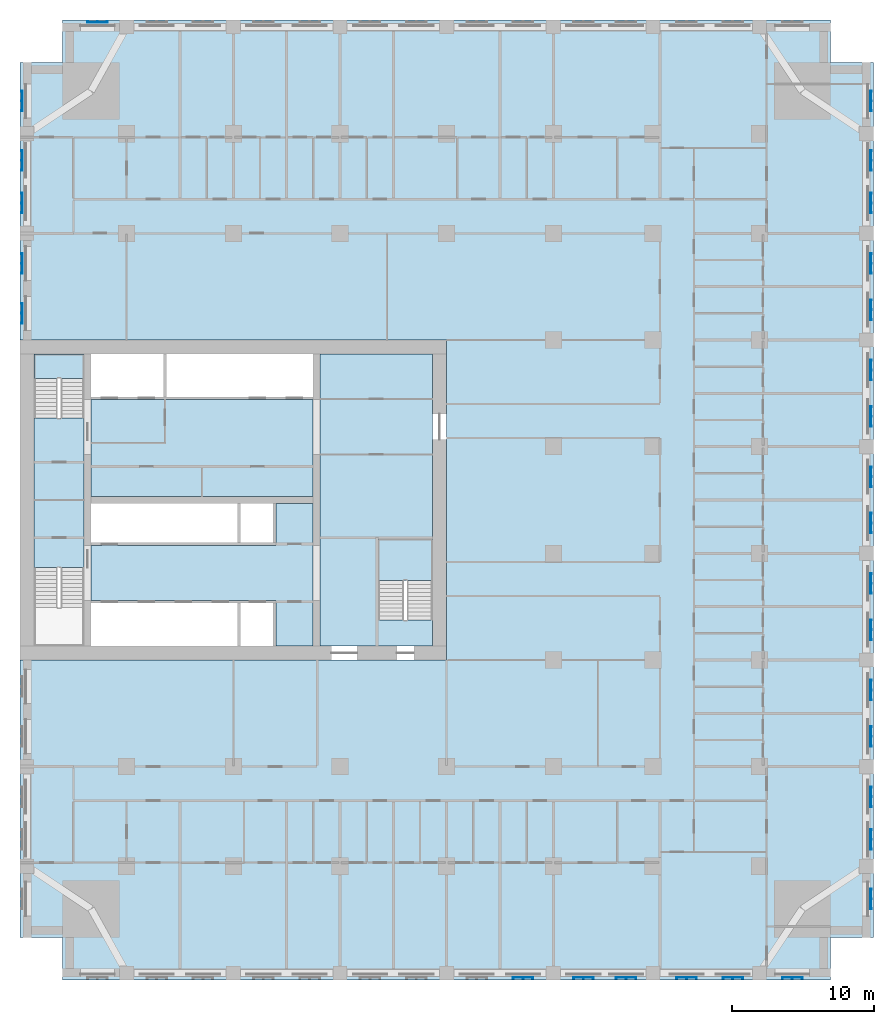
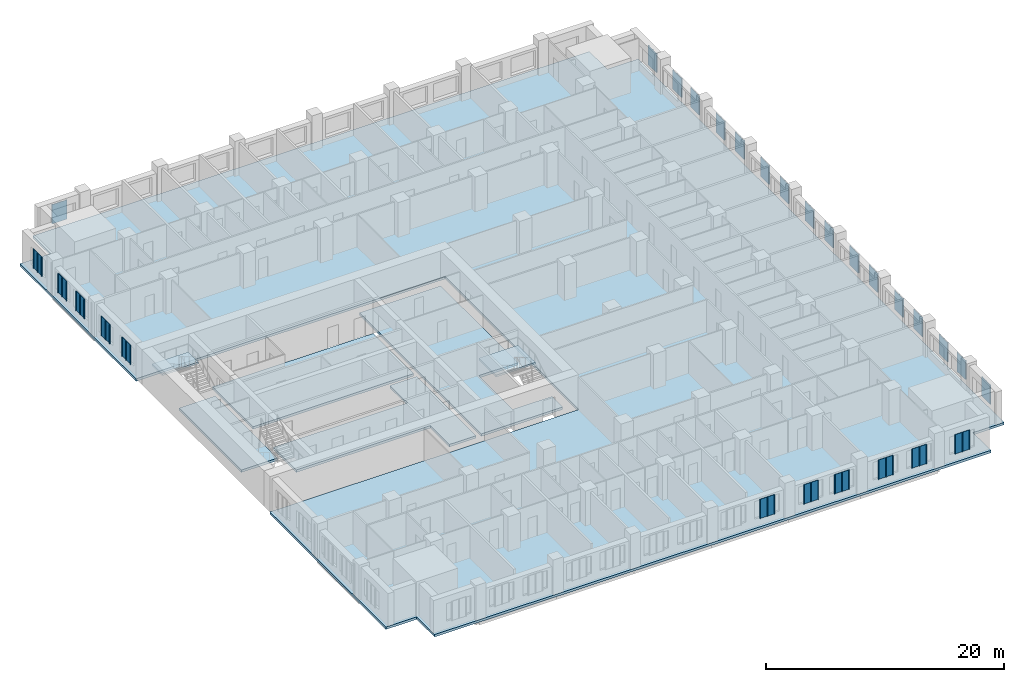
# One storey, part 2 of 15: 28 plates, 7 slabs, 2 elements without a shape of their own.
"""IFC4 building model written with IfcOpenShell, lengths in metres."""

from ifc_helpers import new_model, si_unit, direction, frame, origin, place, context, subcontext, project, spatial, polyline, outline, extrude, material, layer, layer_set, type_object, element, aggregate, save


model = new_model("IFC4")

# Units and contexts
model_context = context("Model", 3, precision=1e-05, world=origin(), true_north=direction((0.0, 1.0)))
body_context = subcontext(model_context, "Body", "Model", "MODEL_VIEW")
ifc_project = project(units=[si_unit("LENGTHUNIT", "METRE"), si_unit("AREAUNIT", "SQUARE_METRE"), si_unit("VOLUMEUNIT", "CUBIC_METRE"), si_unit("PLANEANGLEUNIT", "RADIAN"), si_unit("MASSUNIT", "GRAM", prefix="KILO")], contexts=[model_context])

# Site, building, storey
site_placement = place(None, origin())
site = spatial("IfcSite", under=ifc_project, at=site_placement, CompositionType="ELEMENT")
building_placement = place(site_placement, origin())
building = spatial("IfcBuilding", under=site, at=building_placement, Name="Tamorin Gate", CompositionType="ELEMENT")
storey_placement = place(building_placement, frame((0.0, 0.0, 48.39990234375)))
storey = spatial("IfcBuildingStorey", under=building, at=storey_placement, Name="L10", CompositionType="ELEMENT", Elevation=48.39990234375)

# Slabs
ifc_material_1 = material(Name="Concrete C40/50", Category="concrete")
ifc_layer_1 = layer(ifc_material_1, 0.25)
ifc_layer_set_1 = layer_set([ifc_layer_1], Name="Core floor slab 250 C40/50")
slab_type_1 = type_object("IfcSlabType", Name="Core floor slab 250 C40/50", PredefinedType="FLOOR", material=ifc_layer_set_1)
slab_1_placement = place(storey_placement, frame((0.0, 0.0, -0.25)))
element("IfcSlab", 1, at=slab_1_placement, inside=storey, type_object=slab_type_1, Name="Core floor L10", PredefinedType="FLOOR", context=body_context, shape_type="SweptSolid", body=[
    extrude(outline(polyline([(59.0, 62.800048828125), (59.0, 61.0), (51.10009765625, 61.0), (51.10009765625, 81.5), (59.0, 81.5), (59.0, 68.5), (55.199951171875, 68.5), (55.199951171875, 62.800048828125), (59.0, 62.800048828125)])), origin(), (0.0, 0.0, 1.0), 0.25),
])
slab_2_placement = place(storey_placement, frame((0.0, 0.0, -0.25)))
element("IfcSlab", 2, at=slab_2_placement, inside=storey, type_object=slab_type_1, Name="Core floor L10", PredefinedType="FLOOR", context=body_context, shape_type="SweptSolid", body=[
    extrude(outline(polyline([(50.60009765625, 61.0), (48.0, 61.0), (48.0, 64.199951171875), (35.0, 64.199951171875), (35.0, 68.050048828125), (48.0, 68.050048828125), (48.0, 71.0), (50.60009765625, 71.0), (50.60009765625, 61.0)])), origin(), (0.0, 0.0, 1.0), 0.25),
])
slab_3_placement = place(storey_placement, frame((0.0, 0.0, -0.25)))
element("IfcSlab", 3, at=slab_3_placement, inside=storey, type_object=slab_type_1, Name="Core floor L10", PredefinedType="FLOOR", context=body_context, shape_type="SweptSolid", body=[
    extrude(outline(polyline([(50.60009765625, 71.5), (35.0, 71.5), (35.0, 78.300048828125), (50.60009765625, 78.300048828125), (50.60009765625, 71.5)])), origin(), (0.0, 0.0, 1.0), 0.25),
])
slab_4_placement = place(storey_placement, frame((0.0, 0.0, -0.25)))
element("IfcSlab", 4, at=slab_4_placement, inside=storey, type_object=slab_type_1, Name="Core floor L10", PredefinedType="FLOOR", context=body_context, shape_type="SweptSolid", body=[
    extrude(outline(polyline([(31.0, 66.5), (31.0, 77.0), (34.5, 77.0), (34.5, 66.5), (31.0, 66.5)])), origin(), (0.0, 0.0, 1.0), 0.25),
])

# Stair, slab
stair_type = type_object("IfcStairType", Name="Exit stair", PredefinedType="HALF_TURN_STAIR", material=ifc_material_1)
stair_1_placement = place(storey_placement, origin())
stair_1 = element("IfcStair", 5, at=stair_1_placement, inside=storey, type_object=stair_type, Name="L10 stair ST2", PredefinedType="HALF_TURN_STAIR")
ifc_layer_2 = layer(ifc_material_1, 0.199951171875)
ifc_layer_set_2 = layer_set([ifc_layer_2], Name="Exit stair landing 200")
slab_type_2 = type_object("IfcSlabType", Name="Exit stair landing 200", PredefinedType="LANDING", material=ifc_layer_set_2)
slab_5_placement = place(storey_placement, frame((0.0, 0.0, 1.60009765625)))
slab_5 = element("IfcSlab", 6, at=slab_5_placement, type_object=slab_type_2, Name="ST2 landing 1", PredefinedType="LANDING", context=body_context, shape_type="SweptSolid", body=[
    extrude(outline(polyline([(34.5, 79.800048828125), (34.5, 81.5), (31.0, 81.5), (31.0, 79.800048828125), (34.5, 79.800048828125)])), origin(), (0.0, 0.0, 1.0), 0.199951171875),
])
aggregate(stair_1, [slab_5])

stair_2_placement = place(storey_placement, origin())
stair_2 = element("IfcStair", 7, at=stair_2_placement, inside=storey, type_object=stair_type, Name="L10 stair ST3", PredefinedType="HALF_TURN_STAIR")
slab_6_placement = place(storey_placement, frame((0.0, 0.0, 1.60009765625)))
slab_6 = element("IfcSlab", 8, at=slab_6_placement, type_object=slab_type_2, Name="ST3 landing 1", PredefinedType="LANDING", context=body_context, shape_type="SweptSolid", body=[
    extrude(outline(polyline([(59.0, 65.60009765625), (59.0, 68.5), (55.199951171875, 68.5), (55.199951171875, 65.60009765625), (59.0, 65.60009765625)])), origin(), (0.0, 0.0, 1.0), 0.199951171875),
])
aggregate(stair_2, [slab_6])

# Slab
ifc_layer_3 = layer(ifc_material_1, 0.25)
ifc_layer_set_3 = layer_set([ifc_layer_3], Name="Floor slab 250 C40/50")
slab_type_3 = type_object("IfcSlabType", Name="Floor slab 250 C40/50", PredefinedType="FLOOR", material=ifc_layer_set_3)
slab_7_placement = place(storey_placement, frame((0.0, 0.0, -0.25)))
element("IfcSlab", 9, at=slab_7_placement, inside=storey, type_object=slab_type_3, Name="Floor L10", PredefinedType="FLOOR", context=body_context, shape_type="SweptSolid", body=[
    extrude(outline(polyline([(30.0, 102.0), (33.0, 102.0), (33.0, 105.0), (87.0, 105.0), (87.0, 102.0), (90.0, 102.0), (90.0, 40.5), (87.0, 40.5), (87.0, 37.5), (33.0, 37.5), (33.0, 40.5), (30.0, 40.5), (30.0, 60.0), (60.0, 60.0), (60.0, 82.5), (30.0, 82.5), (30.0, 102.0)])), origin(), (0.0, 0.0, 1.0), 0.25),
])

# Plates
ifc_material_2 = material(Name="Perforated pale aluminium sheet", Category="aluminium")
ifc_layer_4 = layer(ifc_material_2, 0.0400390625)
ifc_layer_set_4 = layer_set([ifc_layer_4], Name="Pale metal solar screen 1440")
plate_type = type_object("IfcPlateType", Name="Pale metal solar screen 1440", PredefinedType="SHEET", material=ifc_layer_set_4)
plate_1_placement = place(storey_placement, frame((0.0, 0.0, 0.710205078125)))
element("IfcPlate", 10, at=plate_1_placement, inside=storey, type_object=plate_type, Name="Perforated solar screen", PredefinedType="SHEET", context=body_context, shape_type="SweptSolid", body=[
    extrude(outline(polyline([(64.655029296875, 37.659912109375), (64.655029296875, 37.699951171875), (64.715087890625, 37.699951171875), (65.344970703125, 37.699951171875), (65.405029296875, 37.699951171875), (66.034912109375, 37.699951171875), (66.094970703125, 37.699951171875), (66.094970703125, 37.659912109375), (66.094970703125, 37.60009765625), (66.034912109375, 37.60009765625), (66.034912109375, 37.659912109375), (65.405029296875, 37.659912109375), (65.405029296875, 37.60009765625), (65.344970703125, 37.60009765625), (65.344970703125, 37.659912109375), (64.715087890625, 37.659912109375), (64.715087890625, 37.60009765625), (64.655029296875, 37.60009765625), (64.655029296875, 37.659912109375)])), origin(), (0.0, 0.0, 1.0), 1.97998046875),
])
plate_2_placement = place(storey_placement, frame((0.0, 0.0, 0.710205078125)))
element("IfcPlate", 11, at=plate_2_placement, inside=storey, type_object=plate_type, Name="Perforated solar screen", PredefinedType="SHEET", context=body_context, shape_type="SweptSolid", body=[
    extrude(outline(polyline([(68.905029296875, 37.659912109375), (68.905029296875, 37.699951171875), (68.965087890625, 37.699951171875), (69.594970703125, 37.699951171875), (69.655029296875, 37.699951171875), (70.284912109375, 37.699951171875), (70.344970703125, 37.699951171875), (70.344970703125, 37.659912109375), (70.344970703125, 37.60009765625), (70.284912109375, 37.60009765625), (70.284912109375, 37.659912109375), (69.655029296875, 37.659912109375), (69.655029296875, 37.60009765625), (69.594970703125, 37.60009765625), (69.594970703125, 37.659912109375), (68.965087890625, 37.659912109375), (68.965087890625, 37.60009765625), (68.905029296875, 37.60009765625), (68.905029296875, 37.659912109375)])), origin(), (0.0, 0.0, 1.0), 1.97998046875),
])
plate_3_placement = place(storey_placement, frame((0.0, 0.0, 0.710205078125)))
element("IfcPlate", 12, at=plate_3_placement, inside=storey, type_object=plate_type, Name="Perforated solar screen", PredefinedType="SHEET", context=body_context, shape_type="SweptSolid", body=[
    extrude(outline(polyline([(71.905029296875, 37.659912109375), (71.905029296875, 37.699951171875), (71.965087890625, 37.699951171875), (72.594970703125, 37.699951171875), (72.655029296875, 37.699951171875), (73.284912109375, 37.699951171875), (73.344970703125, 37.699951171875), (73.344970703125, 37.659912109375), (73.344970703125, 37.60009765625), (73.284912109375, 37.60009765625), (73.284912109375, 37.659912109375), (72.655029296875, 37.659912109375), (72.655029296875, 37.60009765625), (72.594970703125, 37.60009765625), (72.594970703125, 37.659912109375), (71.965087890625, 37.659912109375), (71.965087890625, 37.60009765625), (71.905029296875, 37.60009765625), (71.905029296875, 37.659912109375)])), origin(), (0.0, 0.0, 1.0), 1.97998046875),
])
plate_4_placement = place(storey_placement, frame((0.0, 0.0, 0.710205078125)))
element("IfcPlate", 13, at=plate_4_placement, inside=storey, type_object=plate_type, Name="Perforated solar screen", PredefinedType="SHEET", context=body_context, shape_type="SweptSolid", body=[
    extrude(outline(polyline([(76.155029296875, 37.659912109375), (76.155029296875, 37.699951171875), (76.215087890625, 37.699951171875), (76.844970703125, 37.699951171875), (76.905029296875, 37.699951171875), (77.534912109375, 37.699951171875), (77.594970703125, 37.699951171875), (77.594970703125, 37.659912109375), (77.594970703125, 37.60009765625), (77.534912109375, 37.60009765625), (77.534912109375, 37.659912109375), (76.905029296875, 37.659912109375), (76.905029296875, 37.60009765625), (76.844970703125, 37.60009765625), (76.844970703125, 37.659912109375), (76.215087890625, 37.659912109375), (76.215087890625, 37.60009765625), (76.155029296875, 37.60009765625), (76.155029296875, 37.659912109375)])), origin(), (0.0, 0.0, 1.0), 1.97998046875),
])
plate_5_placement = place(storey_placement, frame((0.0, 0.0, 0.710205078125)))
element("IfcPlate", 14, at=plate_5_placement, inside=storey, type_object=plate_type, Name="Perforated solar screen", PredefinedType="SHEET", context=body_context, shape_type="SweptSolid", body=[
    extrude(outline(polyline([(79.405029296875, 37.659912109375), (79.405029296875, 37.699951171875), (79.465087890625, 37.699951171875), (80.094970703125, 37.699951171875), (80.155029296875, 37.699951171875), (80.784912109375, 37.699951171875), (80.844970703125, 37.699951171875), (80.844970703125, 37.659912109375), (80.844970703125, 37.60009765625), (80.784912109375, 37.60009765625), (80.784912109375, 37.659912109375), (80.155029296875, 37.659912109375), (80.155029296875, 37.60009765625), (80.094970703125, 37.60009765625), (80.094970703125, 37.659912109375), (79.465087890625, 37.659912109375), (79.465087890625, 37.60009765625), (79.405029296875, 37.60009765625), (79.405029296875, 37.659912109375)])), origin(), (0.0, 0.0, 1.0), 1.97998046875),
])
plate_6_placement = place(storey_placement, frame((0.0, 0.0, 0.710205078125)))
element("IfcPlate", 15, at=plate_6_placement, inside=storey, type_object=plate_type, Name="Perforated solar screen", PredefinedType="SHEET", context=body_context, shape_type="SweptSolid", body=[
    extrude(outline(polyline([(83.580078125, 37.659912109375), (83.580078125, 37.699951171875), (83.639892578125, 37.699951171875), (84.27001953125, 37.699951171875), (84.330078125, 37.699951171875), (84.9599609375, 37.699951171875), (85.02001953125, 37.699951171875), (85.02001953125, 37.659912109375), (85.02001953125, 37.60009765625), (84.9599609375, 37.60009765625), (84.9599609375, 37.659912109375), (84.330078125, 37.659912109375), (84.330078125, 37.60009765625), (84.27001953125, 37.60009765625), (84.27001953125, 37.659912109375), (83.639892578125, 37.659912109375), (83.639892578125, 37.60009765625), (83.580078125, 37.60009765625), (83.580078125, 37.659912109375)])), origin(), (0.0, 0.0, 1.0), 1.97998046875),
])
plate_7_placement = place(storey_placement, frame((0.0, 0.0, 0.710205078125)))
element("IfcPlate", 16, at=plate_7_placement, inside=storey, type_object=plate_type, Name="Perforated solar screen", PredefinedType="SHEET", context=body_context, shape_type="SweptSolid", body=[
    extrude(outline(polyline([(89.840087890625, 42.47998046875), (89.800048828125, 42.47998046875), (89.800048828125, 42.5400390625), (89.800048828125, 43.169921875), (89.800048828125, 43.22998046875), (89.800048828125, 43.860107421875), (89.800048828125, 43.919921875), (89.840087890625, 43.919921875), (89.89990234375, 43.919921875), (89.89990234375, 43.860107421875), (89.840087890625, 43.860107421875), (89.840087890625, 43.22998046875), (89.89990234375, 43.22998046875), (89.89990234375, 43.169921875), (89.840087890625, 43.169921875), (89.840087890625, 42.5400390625), (89.89990234375, 42.5400390625), (89.89990234375, 42.47998046875), (89.840087890625, 42.47998046875)])), origin(), (0.0, 0.0, 1.0), 1.97998046875),
])
plate_8_placement = place(storey_placement, frame((0.0, 0.0, 0.710205078125)))
element("IfcPlate", 17, at=plate_8_placement, inside=storey, type_object=plate_type, Name="Perforated solar screen", PredefinedType="SHEET", context=body_context, shape_type="SweptSolid", body=[
    extrude(outline(polyline([(89.840087890625, 46.655029296875), (89.800048828125, 46.655029296875), (89.800048828125, 46.715087890625), (89.800048828125, 47.344970703125), (89.800048828125, 47.405029296875), (89.800048828125, 48.034912109375), (89.800048828125, 48.094970703125), (89.800048828125, 48.094970703125), (89.840087890625, 48.094970703125), (89.840087890625, 48.094970703125), (89.89990234375, 48.094970703125), (89.89990234375, 48.034912109375), (89.840087890625, 48.034912109375), (89.840087890625, 47.405029296875), (89.89990234375, 47.405029296875), (89.89990234375, 47.344970703125), (89.840087890625, 47.344970703125), (89.840087890625, 46.715087890625), (89.89990234375, 46.715087890625), (89.89990234375, 46.655029296875), (89.840087890625, 46.655029296875)])), origin(), (0.0, 0.0, 1.0), 1.97998046875),
])
plate_9_placement = place(storey_placement, frame((0.0, 0.0, 0.710205078125)))
element("IfcPlate", 18, at=plate_9_placement, inside=storey, type_object=plate_type, Name="Perforated solar screen", PredefinedType="SHEET", context=body_context, shape_type="SweptSolid", body=[
    extrude(outline(polyline([(89.840087890625, 49.655029296875), (89.800048828125, 49.655029296875), (89.800048828125, 49.715087890625), (89.800048828125, 50.344970703125), (89.800048828125, 50.405029296875), (89.800048828125, 51.034912109375), (89.800048828125, 51.094970703125), (89.840087890625, 51.094970703125), (89.89990234375, 51.094970703125), (89.89990234375, 51.034912109375), (89.840087890625, 51.034912109375), (89.840087890625, 50.405029296875), (89.89990234375, 50.405029296875), (89.89990234375, 50.344970703125), (89.840087890625, 50.344970703125), (89.840087890625, 49.715087890625), (89.89990234375, 49.715087890625), (89.89990234375, 49.655029296875), (89.840087890625, 49.655029296875)])), origin(), (0.0, 0.0, 1.0), 1.97998046875),
])
plate_10_placement = place(storey_placement, frame((0.0, 0.0, 0.710205078125)))
element("IfcPlate", 19, at=plate_10_placement, inside=storey, type_object=plate_type, Name="Perforated solar screen", PredefinedType="SHEET", context=body_context, shape_type="SweptSolid", body=[
    extrude(outline(polyline([(89.840087890625, 53.905029296875), (89.800048828125, 53.905029296875), (89.800048828125, 53.965087890625), (89.800048828125, 54.594970703125), (89.800048828125, 54.655029296875), (89.800048828125, 55.284912109375), (89.800048828125, 55.344970703125), (89.840087890625, 55.344970703125), (89.89990234375, 55.344970703125), (89.89990234375, 55.284912109375), (89.840087890625, 55.284912109375), (89.840087890625, 54.655029296875), (89.89990234375, 54.655029296875), (89.89990234375, 54.594970703125), (89.840087890625, 54.594970703125), (89.840087890625, 53.965087890625), (89.89990234375, 53.965087890625), (89.89990234375, 53.905029296875), (89.840087890625, 53.905029296875)])), origin(), (0.0, 0.0, 1.0), 1.97998046875),
])
plate_11_placement = place(storey_placement, frame((0.0, 0.0, 0.710205078125)))
element("IfcPlate", 20, at=plate_11_placement, inside=storey, type_object=plate_type, Name="Perforated solar screen", PredefinedType="SHEET", context=body_context, shape_type="SweptSolid", body=[
    extrude(outline(polyline([(89.840087890625, 57.155029296875), (89.800048828125, 57.155029296875), (89.800048828125, 57.215087890625), (89.800048828125, 57.844970703125), (89.800048828125, 57.905029296875), (89.800048828125, 58.534912109375), (89.800048828125, 58.594970703125), (89.840087890625, 58.594970703125), (89.89990234375, 58.594970703125), (89.89990234375, 58.534912109375), (89.840087890625, 58.534912109375), (89.840087890625, 57.905029296875), (89.89990234375, 57.905029296875), (89.89990234375, 57.844970703125), (89.840087890625, 57.844970703125), (89.840087890625, 57.215087890625), (89.89990234375, 57.215087890625), (89.89990234375, 57.155029296875), (89.840087890625, 57.155029296875)])), origin(), (0.0, 0.0, 1.0), 1.97998046875),
])
plate_12_placement = place(storey_placement, frame((0.0, 0.0, 0.710205078125)))
element("IfcPlate", 21, at=plate_12_placement, inside=storey, type_object=plate_type, Name="Perforated solar screen", PredefinedType="SHEET", context=body_context, shape_type="SweptSolid", body=[
    extrude(outline(polyline([(89.840087890625, 61.405029296875), (89.800048828125, 61.405029296875), (89.800048828125, 61.465087890625), (89.800048828125, 62.094970703125), (89.800048828125, 62.155029296875), (89.800048828125, 62.784912109375), (89.800048828125, 62.844970703125), (89.840087890625, 62.844970703125), (89.89990234375, 62.844970703125), (89.89990234375, 62.784912109375), (89.840087890625, 62.784912109375), (89.840087890625, 62.155029296875), (89.89990234375, 62.155029296875), (89.89990234375, 62.094970703125), (89.840087890625, 62.094970703125), (89.840087890625, 61.465087890625), (89.89990234375, 61.465087890625), (89.89990234375, 61.405029296875), (89.840087890625, 61.405029296875)])), origin(), (0.0, 0.0, 1.0), 1.97998046875),
])
plate_13_placement = place(storey_placement, frame((0.0, 0.0, 0.710205078125)))
element("IfcPlate", 22, at=plate_13_placement, inside=storey, type_object=plate_type, Name="Perforated solar screen", PredefinedType="SHEET", context=body_context, shape_type="SweptSolid", body=[
    extrude(outline(polyline([(89.840087890625, 64.655029296875), (89.800048828125, 64.655029296875), (89.800048828125, 64.715087890625), (89.800048828125, 65.344970703125), (89.800048828125, 65.405029296875), (89.800048828125, 66.034912109375), (89.800048828125, 66.094970703125), (89.840087890625, 66.094970703125), (89.89990234375, 66.094970703125), (89.89990234375, 66.034912109375), (89.840087890625, 66.034912109375), (89.840087890625, 65.405029296875), (89.89990234375, 65.405029296875), (89.89990234375, 65.344970703125), (89.840087890625, 65.344970703125), (89.840087890625, 64.715087890625), (89.89990234375, 64.715087890625), (89.89990234375, 64.655029296875), (89.840087890625, 64.655029296875)])), origin(), (0.0, 0.0, 1.0), 1.97998046875),
])
plate_14_placement = place(storey_placement, frame((0.0, 0.0, 0.710205078125)))
element("IfcPlate", 23, at=plate_14_placement, inside=storey, type_object=plate_type, Name="Perforated solar screen", PredefinedType="SHEET", context=body_context, shape_type="SweptSolid", body=[
    extrude(outline(polyline([(89.840087890625, 68.905029296875), (89.800048828125, 68.905029296875), (89.800048828125, 68.965087890625), (89.800048828125, 69.594970703125), (89.800048828125, 69.655029296875), (89.800048828125, 70.284912109375), (89.800048828125, 70.344970703125), (89.840087890625, 70.344970703125), (89.89990234375, 70.344970703125), (89.89990234375, 70.284912109375), (89.840087890625, 70.284912109375), (89.840087890625, 69.655029296875), (89.89990234375, 69.655029296875), (89.89990234375, 69.594970703125), (89.840087890625, 69.594970703125), (89.840087890625, 68.965087890625), (89.89990234375, 68.965087890625), (89.89990234375, 68.905029296875), (89.840087890625, 68.905029296875)])), origin(), (0.0, 0.0, 1.0), 1.97998046875),
])
plate_15_placement = place(storey_placement, frame((0.0, 0.0, 0.710205078125)))
element("IfcPlate", 24, at=plate_15_placement, inside=storey, type_object=plate_type, Name="Perforated solar screen", PredefinedType="SHEET", context=body_context, shape_type="SweptSolid", body=[
    extrude(outline(polyline([(89.840087890625, 72.155029296875), (89.800048828125, 72.155029296875), (89.800048828125, 72.215087890625), (89.800048828125, 72.844970703125), (89.800048828125, 72.905029296875), (89.800048828125, 73.534912109375), (89.800048828125, 73.594970703125), (89.840087890625, 73.594970703125), (89.89990234375, 73.594970703125), (89.89990234375, 73.534912109375), (89.840087890625, 73.534912109375), (89.840087890625, 72.905029296875), (89.89990234375, 72.905029296875), (89.89990234375, 72.844970703125), (89.840087890625, 72.844970703125), (89.840087890625, 72.215087890625), (89.89990234375, 72.215087890625), (89.89990234375, 72.155029296875), (89.840087890625, 72.155029296875)])), origin(), (0.0, 0.0, 1.0), 1.97998046875),
])
plate_16_placement = place(storey_placement, frame((0.0, 0.0, 0.710205078125)))
element("IfcPlate", 25, at=plate_16_placement, inside=storey, type_object=plate_type, Name="Perforated solar screen", PredefinedType="SHEET", context=body_context, shape_type="SweptSolid", body=[
    extrude(outline(polyline([(89.840087890625, 76.405029296875), (89.800048828125, 76.405029296875), (89.800048828125, 76.465087890625), (89.800048828125, 77.094970703125), (89.800048828125, 77.155029296875), (89.800048828125, 77.784912109375), (89.800048828125, 77.844970703125), (89.840087890625, 77.844970703125), (89.89990234375, 77.844970703125), (89.89990234375, 77.784912109375), (89.840087890625, 77.784912109375), (89.840087890625, 77.155029296875), (89.89990234375, 77.155029296875), (89.89990234375, 77.094970703125), (89.840087890625, 77.094970703125), (89.840087890625, 76.465087890625), (89.89990234375, 76.465087890625), (89.89990234375, 76.405029296875), (89.840087890625, 76.405029296875)])), origin(), (0.0, 0.0, 1.0), 1.97998046875),
])
plate_17_placement = place(storey_placement, frame((0.0, 0.0, 0.710205078125)))
element("IfcPlate", 26, at=plate_17_placement, inside=storey, type_object=plate_type, Name="Perforated solar screen", PredefinedType="SHEET", context=body_context, shape_type="SweptSolid", body=[
    extrude(outline(polyline([(89.840087890625, 79.655029296875), (89.800048828125, 79.655029296875), (89.800048828125, 79.715087890625), (89.800048828125, 80.344970703125), (89.800048828125, 80.405029296875), (89.800048828125, 81.034912109375), (89.800048828125, 81.094970703125), (89.840087890625, 81.094970703125), (89.89990234375, 81.094970703125), (89.89990234375, 81.034912109375), (89.840087890625, 81.034912109375), (89.840087890625, 80.405029296875), (89.89990234375, 80.405029296875), (89.89990234375, 80.344970703125), (89.840087890625, 80.344970703125), (89.840087890625, 79.715087890625), (89.89990234375, 79.715087890625), (89.89990234375, 79.655029296875), (89.840087890625, 79.655029296875)])), origin(), (0.0, 0.0, 1.0), 1.97998046875),
])
plate_18_placement = place(storey_placement, frame((0.0, 0.0, 0.710205078125)))
element("IfcPlate", 27, at=plate_18_placement, inside=storey, type_object=plate_type, Name="Perforated solar screen", PredefinedType="SHEET", context=body_context, shape_type="SweptSolid", body=[
    extrude(outline(polyline([(89.840087890625, 83.905029296875), (89.800048828125, 83.905029296875), (89.800048828125, 83.965087890625), (89.800048828125, 84.594970703125), (89.800048828125, 84.655029296875), (89.800048828125, 85.284912109375), (89.800048828125, 85.344970703125), (89.840087890625, 85.344970703125), (89.89990234375, 85.344970703125), (89.89990234375, 85.284912109375), (89.840087890625, 85.284912109375), (89.840087890625, 84.655029296875), (89.89990234375, 84.655029296875), (89.89990234375, 84.594970703125), (89.840087890625, 84.594970703125), (89.840087890625, 83.965087890625), (89.89990234375, 83.965087890625), (89.89990234375, 83.905029296875), (89.840087890625, 83.905029296875)])), origin(), (0.0, 0.0, 1.0), 1.97998046875),
])
plate_19_placement = place(storey_placement, frame((0.0, 0.0, 0.710205078125)))
element("IfcPlate", 28, at=plate_19_placement, inside=storey, type_object=plate_type, Name="Perforated solar screen", PredefinedType="SHEET", context=body_context, shape_type="SweptSolid", body=[
    extrude(outline(polyline([(89.840087890625, 87.155029296875), (89.800048828125, 87.155029296875), (89.800048828125, 87.215087890625), (89.800048828125, 87.844970703125), (89.800048828125, 87.905029296875), (89.800048828125, 88.534912109375), (89.800048828125, 88.594970703125), (89.840087890625, 88.594970703125), (89.89990234375, 88.594970703125), (89.89990234375, 88.534912109375), (89.840087890625, 88.534912109375), (89.840087890625, 87.905029296875), (89.89990234375, 87.905029296875), (89.89990234375, 87.844970703125), (89.840087890625, 87.844970703125), (89.840087890625, 87.215087890625), (89.89990234375, 87.215087890625), (89.89990234375, 87.155029296875), (89.840087890625, 87.155029296875)])), origin(), (0.0, 0.0, 1.0), 1.97998046875),
])
plate_20_placement = place(storey_placement, frame((0.0, 0.0, 0.710205078125)))
element("IfcPlate", 29, at=plate_20_placement, inside=storey, type_object=plate_type, Name="Perforated solar screen", PredefinedType="SHEET", context=body_context, shape_type="SweptSolid", body=[
    extrude(outline(polyline([(89.840087890625, 91.405029296875), (89.800048828125, 91.405029296875), (89.800048828125, 91.465087890625), (89.800048828125, 92.094970703125), (89.800048828125, 92.155029296875), (89.800048828125, 92.784912109375), (89.800048828125, 92.844970703125), (89.840087890625, 92.844970703125), (89.89990234375, 92.844970703125), (89.89990234375, 92.784912109375), (89.840087890625, 92.784912109375), (89.840087890625, 92.155029296875), (89.89990234375, 92.155029296875), (89.89990234375, 92.094970703125), (89.840087890625, 92.094970703125), (89.840087890625, 91.465087890625), (89.89990234375, 91.465087890625), (89.89990234375, 91.405029296875), (89.840087890625, 91.405029296875)])), origin(), (0.0, 0.0, 1.0), 1.97998046875),
])
plate_21_placement = place(storey_placement, frame((0.0, 0.0, 0.710205078125)))
element("IfcPlate", 30, at=plate_21_placement, inside=storey, type_object=plate_type, Name="Perforated solar screen", PredefinedType="SHEET", context=body_context, shape_type="SweptSolid", body=[
    extrude(outline(polyline([(89.840087890625, 94.405029296875), (89.800048828125, 94.405029296875), (89.800048828125, 94.465087890625), (89.800048828125, 95.094970703125), (89.800048828125, 95.155029296875), (89.800048828125, 95.784912109375), (89.800048828125, 95.844970703125), (89.840087890625, 95.844970703125), (89.89990234375, 95.844970703125), (89.89990234375, 95.784912109375), (89.840087890625, 95.784912109375), (89.840087890625, 95.155029296875), (89.89990234375, 95.155029296875), (89.89990234375, 95.094970703125), (89.840087890625, 95.094970703125), (89.840087890625, 94.465087890625), (89.89990234375, 94.465087890625), (89.89990234375, 94.405029296875), (89.840087890625, 94.405029296875)])), origin(), (0.0, 0.0, 1.0), 1.97998046875),
])
plate_22_placement = place(storey_placement, frame((0.0, 0.0, 0.710205078125)))
element("IfcPlate", 31, at=plate_22_placement, inside=storey, type_object=plate_type, Name="Perforated solar screen", PredefinedType="SHEET", context=body_context, shape_type="SweptSolid", body=[
    extrude(outline(polyline([(89.840087890625, 98.580078125), (89.800048828125, 98.580078125), (89.800048828125, 98.639892578125), (89.800048828125, 99.27001953125), (89.800048828125, 99.330078125), (89.800048828125, 99.9599609375), (89.800048828125, 100.02001953125), (89.840087890625, 100.02001953125), (89.89990234375, 100.02001953125), (89.89990234375, 99.9599609375), (89.840087890625, 99.9599609375), (89.840087890625, 99.330078125), (89.89990234375, 99.330078125), (89.89990234375, 99.27001953125), (89.840087890625, 99.27001953125), (89.840087890625, 98.639892578125), (89.89990234375, 98.639892578125), (89.89990234375, 98.580078125), (89.840087890625, 98.580078125)])), origin(), (0.0, 0.0, 1.0), 1.97998046875),
])
plate_23_placement = place(storey_placement, frame((0.0, 0.0, 0.710205078125)))
element("IfcPlate", 32, at=plate_23_placement, inside=storey, type_object=plate_type, Name="Perforated solar screen", PredefinedType="SHEET", context=body_context, shape_type="SweptSolid", body=[
    extrude(outline(polyline([(36.169921875, 104.840087890625), (36.169921875, 104.800048828125), (36.110107421875, 104.800048828125), (35.47998046875, 104.800048828125), (35.419921875, 104.800048828125), (34.7900390625, 104.800048828125), (34.72998046875, 104.800048828125), (34.72998046875, 104.840087890625), (34.72998046875, 104.89990234375), (34.7900390625, 104.89990234375), (34.7900390625, 104.840087890625), (35.419921875, 104.840087890625), (35.419921875, 104.89990234375), (35.47998046875, 104.89990234375), (35.47998046875, 104.840087890625), (36.110107421875, 104.840087890625), (36.110107421875, 104.89990234375), (36.169921875, 104.89990234375), (36.169921875, 104.840087890625)])), origin(), (0.0, 0.0, 1.0), 1.97998046875),
])
plate_24_placement = place(storey_placement, frame((0.0, 0.0, 0.710205078125)))
element("IfcPlate", 33, at=plate_24_placement, inside=storey, type_object=plate_type, Name="Perforated solar screen", PredefinedType="SHEET", context=body_context, shape_type="SweptSolid", body=[
    extrude(outline(polyline([(30.159912109375, 100.02001953125), (30.199951171875, 100.02001953125), (30.199951171875, 99.9599609375), (30.199951171875, 99.330078125), (30.199951171875, 99.27001953125), (30.199951171875, 98.639892578125), (30.199951171875, 98.580078125), (30.159912109375, 98.580078125), (30.10009765625, 98.580078125), (30.10009765625, 98.639892578125), (30.159912109375, 98.639892578125), (30.159912109375, 99.27001953125), (30.10009765625, 99.27001953125), (30.10009765625, 99.330078125), (30.159912109375, 99.330078125), (30.159912109375, 99.9599609375), (30.10009765625, 99.9599609375), (30.10009765625, 100.02001953125), (30.159912109375, 100.02001953125)])), origin(), (0.0, 0.0, 1.0), 1.97998046875),
])
plate_25_placement = place(storey_placement, frame((0.0, 0.0, 0.710205078125)))
element("IfcPlate", 34, at=plate_25_placement, inside=storey, type_object=plate_type, Name="Perforated solar screen", PredefinedType="SHEET", context=body_context, shape_type="SweptSolid", body=[
    extrude(outline(polyline([(30.159912109375, 92.844970703125), (30.199951171875, 92.844970703125), (30.199951171875, 92.784912109375), (30.199951171875, 92.155029296875), (30.199951171875, 92.094970703125), (30.199951171875, 91.465087890625), (30.199951171875, 91.405029296875), (30.159912109375, 91.405029296875), (30.10009765625, 91.405029296875), (30.10009765625, 91.465087890625), (30.159912109375, 91.465087890625), (30.159912109375, 92.094970703125), (30.10009765625, 92.094970703125), (30.10009765625, 92.155029296875), (30.159912109375, 92.155029296875), (30.159912109375, 92.784912109375), (30.10009765625, 92.784912109375), (30.10009765625, 92.844970703125), (30.159912109375, 92.844970703125)])), origin(), (0.0, 0.0, 1.0), 1.97998046875),
])
plate_26_placement = place(storey_placement, frame((0.0, 0.0, 0.710205078125)))
element("IfcPlate", 35, at=plate_26_placement, inside=storey, type_object=plate_type, Name="Perforated solar screen", PredefinedType="SHEET", context=body_context, shape_type="SweptSolid", body=[
    extrude(outline(polyline([(30.159912109375, 95.844970703125), (30.199951171875, 95.844970703125), (30.199951171875, 95.784912109375), (30.199951171875, 95.155029296875), (30.199951171875, 95.094970703125), (30.199951171875, 94.465087890625), (30.199951171875, 94.405029296875), (30.199951171875, 94.405029296875), (30.159912109375, 94.405029296875), (30.159912109375, 94.405029296875), (30.10009765625, 94.405029296875), (30.10009765625, 94.465087890625), (30.159912109375, 94.465087890625), (30.159912109375, 95.094970703125), (30.10009765625, 95.094970703125), (30.10009765625, 95.155029296875), (30.159912109375, 95.155029296875), (30.159912109375, 95.784912109375), (30.10009765625, 95.784912109375), (30.10009765625, 95.844970703125), (30.159912109375, 95.844970703125)])), origin(), (0.0, 0.0, 1.0), 1.97998046875),
])
plate_27_placement = place(storey_placement, frame((0.0, 0.0, 0.710205078125)))
element("IfcPlate", 36, at=plate_27_placement, inside=storey, type_object=plate_type, Name="Perforated solar screen", PredefinedType="SHEET", context=body_context, shape_type="SweptSolid", body=[
    extrude(outline(polyline([(30.159912109375, 85.094970703125), (30.199951171875, 85.094970703125), (30.199951171875, 85.034912109375), (30.199951171875, 84.405029296875), (30.199951171875, 84.344970703125), (30.199951171875, 83.715087890625), (30.199951171875, 83.655029296875), (30.159912109375, 83.655029296875), (30.10009765625, 83.655029296875), (30.10009765625, 83.715087890625), (30.159912109375, 83.715087890625), (30.159912109375, 84.344970703125), (30.10009765625, 84.344970703125), (30.10009765625, 84.405029296875), (30.159912109375, 84.405029296875), (30.159912109375, 85.034912109375), (30.10009765625, 85.034912109375), (30.10009765625, 85.094970703125), (30.159912109375, 85.094970703125)])), origin(), (0.0, 0.0, 1.0), 1.97998046875),
])
plate_28_placement = place(storey_placement, frame((0.0, 0.0, 0.710205078125)))
element("IfcPlate", 37, at=plate_28_placement, inside=storey, type_object=plate_type, Name="Perforated solar screen", PredefinedType="SHEET", context=body_context, shape_type="SweptSolid", body=[
    extrude(outline(polyline([(30.159912109375, 88.594970703125), (30.199951171875, 88.594970703125), (30.199951171875, 88.534912109375), (30.199951171875, 87.905029296875), (30.199951171875, 87.844970703125), (30.199951171875, 87.215087890625), (30.199951171875, 87.155029296875), (30.159912109375, 87.155029296875), (30.10009765625, 87.155029296875), (30.10009765625, 87.215087890625), (30.159912109375, 87.215087890625), (30.159912109375, 87.844970703125), (30.10009765625, 87.844970703125), (30.10009765625, 87.905029296875), (30.159912109375, 87.905029296875), (30.159912109375, 88.534912109375), (30.10009765625, 88.534912109375), (30.10009765625, 88.594970703125), (30.159912109375, 88.594970703125)])), origin(), (0.0, 0.0, 1.0), 1.97998046875),
])

save(model, "model.ifc")
